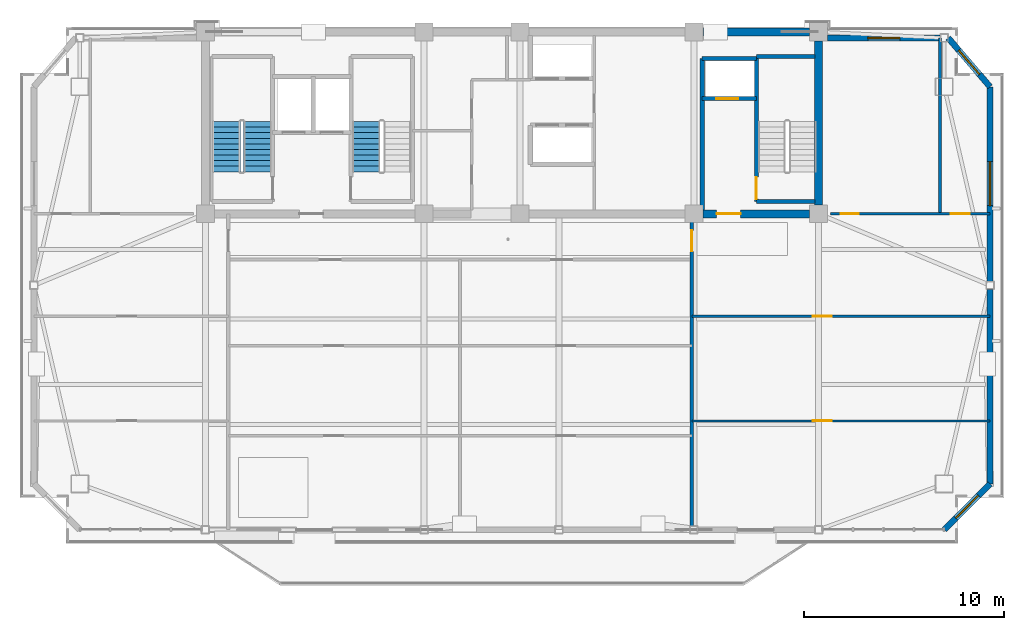
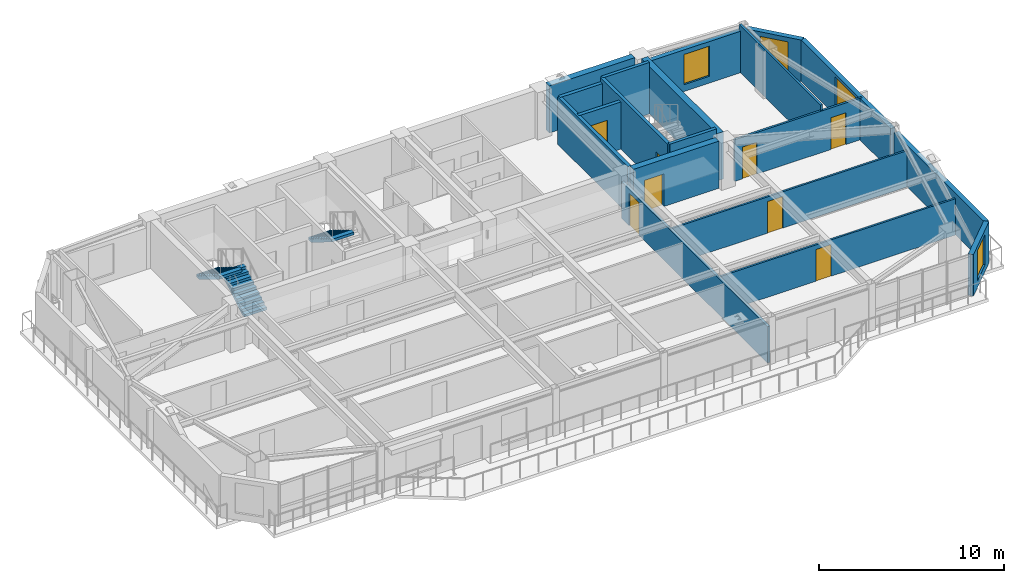
# One storey, part 8 of 13: 19 walls, 8 doors, 4 windows, 3 stair flights, 12 openings, 2 elements without a shape of their own.
"""IFC4 building model written with IfcOpenShell, lengths in metres."""

from ifc_helpers import new_model, si_unit, direction, frame, frame_2d, origin, place, context, subcontext, project, spatial, polyline, rectangle, outline, extrude, source, transform, mapped, material, layer, layer_set, type_object, element, fill, aggregate, save


model = new_model("IFC4")

# Units and contexts
model_context = context("Model", 3, precision=1e-05, world=origin(), true_north=direction((0.0, 1.0)))
body_context = subcontext(model_context, "Body", "Model", "MODEL_VIEW")
ifc_project = project(units=[si_unit("LENGTHUNIT", "METRE"), si_unit("AREAUNIT", "SQUARE_METRE"), si_unit("VOLUMEUNIT", "CUBIC_METRE"), si_unit("PLANEANGLEUNIT", "RADIAN"), si_unit("MASSUNIT", "GRAM", prefix="KILO")], contexts=[model_context])

# Site, building, storey
site_placement = place(None, origin())
site = spatial("IfcSite", under=ifc_project, at=site_placement, CompositionType="ELEMENT")
building_placement = place(site_placement, origin())
building = spatial("IfcBuilding", under=site, at=building_placement, Name="Giltprow Tower", CompositionType="ELEMENT")
storey_placement = place(building_placement, frame((0.0, 0.0, 324.39990234375)))
storey = spatial("IfcBuildingStorey", under=building, at=storey_placement, Name="L84", CompositionType="ELEMENT", Elevation=324.39990234375)

# Wall, opening, window
ifc_material_1 = material(Name="Precast concrete C40", Category="concrete")
ifc_layer_1 = layer(ifc_material_1, 0.300048828125, Name="Precast concrete C40")
ifc_layer_set_1 = layer_set([ifc_layer_1], Name="Precast concrete C40")
wall_type_1 = type_object("IfcWallType", Name="EW-NOTCH-CHAMFER-300", PredefinedType="SOLIDWALL", material=ifc_layer_set_1)
wall_1_placement = place(storey_placement, frame((56.839111328125, 21.635986328125, 0.0), z_axis=(0.0, 0.0, 1.0), x_axis=(0.707106781187, 0.707106781187, 0.0)))
wall_1 = element("IfcWall", 1, at=wall_1_placement, inside=storey, type_object=wall_type_1, Name="L84 Corner Notch Wall SE", PredefinedType="SOLIDWALL", context=body_context, shape_type="SweptSolid", body=[
    extrude(rectangle(XDim=3.241455078125, YDim=0.300048828125, at=frame_2d((1.62060546875, 0.0))), origin(), (0.0, 0.0, 1.0), 2.75),
])
opening_1_placement = place(wall_1_placement, frame((0.821044921875, 0.0, 0.449951171875)))
opening_1 = element("IfcOpeningElement", 2, at=opening_1_placement, cuts=wall_1, Name="Opening WN17", PredefinedType="OPENING", context=body_context, shape_type="SweptSolid", body=[
    extrude(rectangle(XDim=1.60009765625, YDim=2.0, at=frame_2d((0.800048828125, 1.0))), frame((0.0, 0.159912109375, 0.0), z_axis=(0.0, -1.0, 0.0), x_axis=(1.0, 0.0, 0.0)), (0.0, 0.0, 1.0), 0.320068359375),
])
ifc_material_2 = material(Name="Insulated glass", Category="glass")
window_type_1 = type_object("IfcWindowType", Name="WN-COR-1600x2000", PartitioningType="SINGLE_PANEL", PredefinedType="WINDOW", material=ifc_material_2)
shared_shape_1 = source(origin(), body_context, "Body", "SweptSolid", [
    extrude(rectangle(XDim=1.60009765625, YDim=2.0, at=frame_2d((0.800048828125, 1.0))), frame((0.0, 0.030029296875, 0.0), z_axis=(0.0, -1.0, 0.0), x_axis=(1.0, 0.0, 0.0)), (0.0, 0.0, 1.0), 0.06005859375),
])
window_1_placement = place(opening_1_placement, origin())
window_1 = element("IfcWindow", 3, at=window_1_placement, inside=storey, type_object=window_type_1, Name="L84 Corner Notch Window SE", OverallHeight=2.0, OverallWidth=1.60009765625, PartitioningType="SINGLE_PANEL", PredefinedType="WINDOW", context=body_context, shape_type="MappedRepresentation", body=[
    mapped(shared_shape_1, transform((0.0, 0.0, 0.0), x_axis=(1.0, 0.0, 0.0), y_axis=(0.0, 1.0, 0.0), z_axis=(0.0, 0.0, 1.0), scale=1.0)),
])
fill(opening_1, window_1)

wall_2_placement = place(storey_placement, frame((59.131103515625, 43.80810546875, 0.0), z_axis=(0.0, 0.0, 1.0), x_axis=(-0.650610025707, 0.759412005732, 0.0)))
wall_2 = element("IfcWall", 4, at=wall_2_placement, inside=storey, type_object=wall_type_1, Name="L84 Corner Notch Wall NE", PredefinedType="SOLIDWALL", context=body_context, shape_type="SweptSolid", body=[
    extrude(rectangle(XDim=3.215576171875, YDim=0.300048828125, at=frame_2d((1.60791015625, 0.0))), origin(), (0.0, 0.0, 1.0), 2.75),
])
opening_2_placement = place(wall_2_placement, frame((0.80810546875, 0.0, 0.449951171875)))
opening_2 = element("IfcOpeningElement", 5, at=opening_2_placement, cuts=wall_2, Name="Opening WN17", PredefinedType="OPENING", context=body_context, shape_type="SweptSolid", body=[
    extrude(rectangle(XDim=1.60009765625, YDim=2.0, at=frame_2d((0.800048828125, 1.0))), frame((0.0, 0.159912109375, 0.0), z_axis=(0.0, -1.0, 0.0), x_axis=(1.0, 0.0, 0.0)), (0.0, 0.0, 1.0), 0.320068359375),
])
window_2_placement = place(opening_2_placement, origin())
window_2 = element("IfcWindow", 6, at=window_2_placement, inside=storey, type_object=window_type_1, Name="L84 Corner Notch Window NE", OverallHeight=2.0, OverallWidth=1.60009765625, PartitioningType="SINGLE_PANEL", PredefinedType="WINDOW", context=body_context, shape_type="MappedRepresentation", body=[
    mapped(shared_shape_1, transform((0.0, 0.0, 0.0), x_axis=(1.0, 0.0, 0.0), y_axis=(0.0, 1.0, 0.0), z_axis=(0.0, 0.0, 1.0), scale=1.0)),
])
fill(opening_2, window_2)

# Wall
ifc_layer_2 = layer(ifc_material_1, 0.280029296875, Name="Precast concrete C40")
ifc_layer_set_2 = layer_set([ifc_layer_2], Name="Precast concrete C40")
wall_type_2 = type_object("IfcWallType", Name="EW-TOW-BRONZE-280", PredefinedType="SOLIDWALL", material=ifc_layer_set_2)
wall_3_placement = place(storey_placement, frame((59.131103515625, 23.927978515625, 0.0), z_axis=(0.0, 0.0, 1.0), x_axis=(0.0, 1.0, 0.0)))
element("IfcWall", 7, at=wall_3_placement, inside=storey, type_object=wall_type_2, Name="L84 E Wing Masonry Wall 1", PredefinedType="SOLIDWALL", context=body_context, shape_type="SweptSolid", body=[
    extrude(rectangle(XDim=9.739990234375, YDim=0.280029296875, at=frame_2d((4.8701171875, 0.0))), origin(), (0.0, 0.0, 1.0), 2.75),
])

# Wall, opening, window
wall_4_placement = place(storey_placement, frame((59.131103515625, 34.068115234375, 0.0), z_axis=(0.0, 0.0, 1.0), x_axis=(0.0, 1.0, 0.0)))
wall_4 = element("IfcWall", 8, at=wall_4_placement, inside=storey, type_object=wall_type_2, Name="L84 E Wing Masonry Wall 2", PredefinedType="SOLIDWALL", context=body_context, shape_type="SweptSolid", body=[
    extrude(rectangle(XDim=9.739990234375, YDim=0.280029296875, at=frame_2d((4.8701171875, 0.0))), origin(), (0.0, 0.0, 1.0), 2.75),
])
opening_3_placement = place(wall_4_placement, frame((3.787109375, 0.0, 0.449951171875)))
opening_3 = element("IfcOpeningElement", 9, at=opening_3_placement, cuts=wall_4, Name="Opening WN27", PredefinedType="OPENING", context=body_context, shape_type="SweptSolid", body=[
    extrude(rectangle(XDim=2.199951171875, YDim=2.10009765625, at=frame_2d((1.10009765625, 1.050048828125))), frame((0.0, 0.14990234375, 0.0), z_axis=(0.0, -1.0, 0.0), x_axis=(1.0, 0.0, 0.0)), (0.0, 0.0, 1.0), 0.300048828125),
])
window_type_2 = type_object("IfcWindowType", Name="WN-RES-2200x2100", PartitioningType="TRIPLE_PANEL_VERTICAL", PredefinedType="WINDOW", material=ifc_material_2)
shared_shape_2 = source(origin(), body_context, "Body", "SweptSolid", [
    extrude(rectangle(XDim=2.199951171875, YDim=2.10009765625, at=frame_2d((1.10009765625, 1.050048828125))), frame((0.0, 0.030029296875, 0.0), z_axis=(0.0, -1.0, 0.0), x_axis=(1.0, 0.0, 0.0)), (0.0, 0.0, 1.0), 0.06005859375),
])
window_3_placement = place(opening_3_placement, origin())
window_3 = element("IfcWindow", 10, at=window_3_placement, inside=storey, type_object=window_type_2, Name="L84 E Wing Window 2-1", OverallHeight=2.10009765625, OverallWidth=2.199951171875, PartitioningType="SINGLE_PANEL", PredefinedType="WINDOW", context=body_context, shape_type="MappedRepresentation", body=[
    mapped(shared_shape_2, transform((0.0, 0.0, 0.0), x_axis=(1.0, 0.0, 0.0), y_axis=(0.0, 1.0, 0.0), z_axis=(0.0, 0.0, 1.0), scale=1.0)),
])
fill(opening_3, window_3)

wall_5_placement = place(storey_placement, frame((51.0, 46.25, 0.0), z_axis=(0.0, 0.0, 1.0), x_axis=(1.0, 0.0, 0.0)))
wall_5 = element("IfcWall", 11, at=wall_5_placement, inside=storey, type_object=wall_type_2, Name="L84 North-East Wing Wall", PredefinedType="SOLIDWALL", context=body_context, shape_type="SweptSolid", body=[
    extrude(rectangle(XDim=5.638916015625, YDim=0.280029296875, at=frame_2d((2.8193359375, 0.0))), origin(), (0.0, 0.0, 1.0), 2.75),
])
opening_4_placement = place(wall_5_placement, frame((2.02001953125, 0.0, 0.449951171875)))
opening_4 = element("IfcOpeningElement", 12, at=opening_4_placement, cuts=wall_5, Name="Opening WN17", PredefinedType="OPENING", context=body_context, shape_type="SweptSolid", body=[
    extrude(rectangle(XDim=1.60009765625, YDim=2.0, at=frame_2d((0.800048828125, 1.0))), frame((0.0, 0.14990234375, 0.0), z_axis=(0.0, -1.0, 0.0), x_axis=(1.0, 0.0, 0.0)), (0.0, 0.0, 1.0), 0.300048828125),
])
window_4_placement = place(opening_4_placement, origin())
window_4 = element("IfcWindow", 13, at=window_4_placement, inside=storey, type_object=window_type_1, Name="L84 North-East Window", OverallHeight=2.0, OverallWidth=1.60009765625, PartitioningType="SINGLE_PANEL", PredefinedType="WINDOW", context=body_context, shape_type="MappedRepresentation", body=[
    mapped(shared_shape_1, transform((0.0, 0.0, 0.0), x_axis=(1.0, 0.0, 0.0), y_axis=(0.0, 1.0, 0.0), z_axis=(0.0, 0.0, 1.0), scale=1.0)),
])
fill(opening_4, window_4)

# Wall, opening, door
ifc_material_3 = material(Name="Gypsum stud partition", Category="gypsum")
ifc_layer_3 = layer(ifc_material_3, 0.159912109375, Name="Gypsum stud partition")
ifc_layer_set_3 = layer_set([ifc_layer_3], Name="Gypsum stud partition")
wall_type_3 = type_object("IfcWallType", Name="IW-DEMISE-160", PredefinedType="PARTITIONING", material=ifc_layer_set_3)
wall_6_placement = place(storey_placement, frame((44.199951171875, 21.635986328125, 0.0), z_axis=(0.0, 0.0, 1.0), x_axis=(0.0, 1.0, 0.0)))
wall_6 = element("IfcWall", 14, at=wall_6_placement, inside=storey, type_object=wall_type_3, Name="L84 Apartment Party Wall 3", PredefinedType="PARTITIONING", context=body_context, shape_type="SweptSolid", body=[
    extrude(rectangle(XDim=15.81396484375, YDim=0.159912109375, at=frame_2d((7.906982421875, 0.0))), origin(), (0.0, 0.0, 1.0), 2.405029296875),
])
opening_5_placement = place(wall_6_placement, frame((13.93408203125, 0.0, 0.0)))
opening_5 = element("IfcOpeningElement", 15, at=opening_5_placement, cuts=wall_6, Name="Opening ID31", PredefinedType="OPENING", context=body_context, shape_type="SweptSolid", body=[
    extrude(rectangle(XDim=1.050048828125, YDim=2.14990234375, at=frame_2d((0.52490234375, 1.074951171875))), frame((0.0, 0.08984375, 0.0), z_axis=(0.0, -1.0, 0.0), x_axis=(1.0, 0.0, 0.0)), (0.0, 0.0, 1.0), 0.179931640625),
])
ifc_material_4 = material(Name="Engineered timber", Category="wood")
door_type_1 = type_object("IfcDoorType", Name="DR-SUITE-1050", OperationType="SINGLE_SWING_LEFT", PredefinedType="DOOR", material=ifc_material_4)
shared_shape_3 = source(origin(), body_context, "Body", "SweptSolid", [
    extrude(rectangle(XDim=1.050048828125, YDim=2.14990234375, at=frame_2d((0.52490234375, 1.074951171875))), frame((0.0, 0.02490234375, 0.0), z_axis=(0.0, -1.0, 0.0), x_axis=(1.0, 0.0, 0.0)), (0.0, 0.0, 1.0), 0.050048828125),
])
door_1_placement = place(opening_5_placement, origin())
door_1 = element("IfcDoor", 16, at=door_1_placement, inside=storey, type_object=door_type_1, Name="L84 Sky Study Office Corridor End Door", OperationType="SINGLE_SWING_LEFT", OverallHeight=2.14990234375, OverallWidth=1.050048828125, PredefinedType="DOOR", context=body_context, shape_type="MappedRepresentation", body=[
    mapped(shared_shape_3, transform((0.0, 0.0, 0.0), x_axis=(1.0, 0.0, 0.0), y_axis=(0.0, 1.0, 0.0), z_axis=(0.0, 0.0, 1.0), scale=1.0)),
])
fill(opening_5, door_1)

ifc_layer_4 = layer(ifc_material_3, 0.1201171875, Name="Gypsum stud partition")
ifc_layer_set_4 = layer_set([ifc_layer_4], Name="Gypsum stud partition")
wall_type_4 = type_object("IfcWallType", Name="IW-ROOM-120", PredefinedType="PARTITIONING", material=ifc_layer_set_4)
wall_7_placement = place(storey_placement, frame((44.199951171875, 27.076904296875, 0.0), z_axis=(0.0, 0.0, 1.0), x_axis=(1.0, 0.0, 0.0)))
wall_7 = element("IfcWall", 17, at=wall_7_placement, inside=storey, type_object=wall_type_4, Name="L84 Special Split 1", PredefinedType="PARTITIONING", context=body_context, shape_type="SweptSolid", body=[
    extrude(rectangle(XDim=14.93115234375, YDim=0.1201171875, at=frame_2d((7.465576171875, 0.0))), origin(), (0.0, 0.0, 1.0), 2.405029296875),
])
opening_6_placement = place(wall_7_placement, frame((6.05810546875, 0.0, 0.0)))
opening_6 = element("IfcOpeningElement", 18, at=opening_6_placement, cuts=wall_7, Name="Opening ID11", PredefinedType="OPENING", context=body_context, shape_type="SweptSolid", body=[
    extrude(rectangle(XDim=0.949951171875, YDim=2.10009765625, at=frame_2d((0.47509765625, 1.050048828125))), frame((0.0, 0.070068359375, 0.0), z_axis=(0.0, -1.0, 0.0), x_axis=(1.0, 0.0, 0.0)), (0.0, 0.0, 1.0), 0.14013671875),
])
door_type_2 = type_object("IfcDoorType", Name="DR-ROOM-950", OperationType="SINGLE_SWING_RIGHT", PredefinedType="DOOR", material=ifc_material_4)
shared_shape_4 = source(origin(), body_context, "Body", "SweptSolid", [
    extrude(rectangle(XDim=0.949951171875, YDim=2.10009765625, at=frame_2d((0.47509765625, 1.050048828125))), frame((0.0, 0.02490234375, 0.0), z_axis=(0.0, -1.0, 0.0), x_axis=(1.0, 0.0, 0.0)), (0.0, 0.0, 1.0), 0.050048828125),
])
door_2_placement = place(opening_6_placement, origin())
door_2 = element("IfcDoor", 19, at=door_2_placement, inside=storey, type_object=door_type_2, Name="L84 Sky Study Office South Door", OperationType="SINGLE_SWING_LEFT", OverallHeight=2.10009765625, OverallWidth=0.949951171875, PredefinedType="DOOR", context=body_context, shape_type="MappedRepresentation", body=[
    mapped(shared_shape_4, transform((0.0, 0.0, 0.0), x_axis=(1.0, 0.0, 0.0), y_axis=(0.0, 1.0, 0.0), z_axis=(0.0, 0.0, 1.0), scale=1.0)),
])
fill(opening_6, door_2)

wall_8_placement = place(storey_placement, frame((44.199951171875, 32.318115234375, 0.0), z_axis=(0.0, 0.0, 1.0), x_axis=(1.0, 0.0, 0.0)))
wall_8 = element("IfcWall", 20, at=wall_8_placement, inside=storey, type_object=wall_type_4, Name="L84 Special Split 2", PredefinedType="PARTITIONING", context=body_context, shape_type="SweptSolid", body=[
    extrude(rectangle(XDim=14.93115234375, YDim=0.1201171875, at=frame_2d((7.465576171875, 0.0))), origin(), (0.0, 0.0, 1.0), 2.405029296875),
])
opening_7_placement = place(wall_8_placement, frame((6.05810546875, 0.0, 0.0)))
opening_7 = element("IfcOpeningElement", 21, at=opening_7_placement, cuts=wall_8, Name="Opening ID11", PredefinedType="OPENING", context=body_context, shape_type="SweptSolid", body=[
    extrude(rectangle(XDim=0.949951171875, YDim=2.10009765625, at=frame_2d((0.47509765625, 1.050048828125))), frame((0.0, 0.070068359375, 0.0), z_axis=(0.0, -1.0, 0.0), x_axis=(1.0, 0.0, 0.0)), (0.0, 0.0, 1.0), 0.14013671875),
])
door_3_placement = place(opening_7_placement, origin())
door_3 = element("IfcDoor", 22, at=door_3_placement, inside=storey, type_object=door_type_2, Name="L84 Sky Study Office Mid Door", OperationType="SINGLE_SWING_RIGHT", OverallHeight=2.10009765625, OverallWidth=0.949951171875, PredefinedType="DOOR", context=body_context, shape_type="MappedRepresentation", body=[
    mapped(shared_shape_4, transform((0.0, 0.0, 0.0), x_axis=(1.0, 0.0, 0.0), y_axis=(0.0, 1.0, 0.0), z_axis=(0.0, 0.0, 1.0), scale=1.0)),
])
fill(opening_7, door_3)

ifc_material_5 = material(Name="Concrete C40", Category="concrete")
ifc_layer_5 = layer(ifc_material_5, 0.219970703125, Name="Concrete C40")
ifc_layer_set_5 = layer_set([ifc_layer_5], Name="Concrete C40")
wall_type_5 = type_object("IfcWallType", Name="IW-SHAFT-220", PredefinedType="SOLIDWALL", material=ifc_layer_set_5)
wall_9_placement = place(storey_placement, frame((44.719970703125, 43.219970703125, 0.0), z_axis=(0.0, 0.0, 1.0), x_axis=(1.0, 0.0, 0.0)))
wall_9 = element("IfcWall", 23, at=wall_9_placement, inside=storey, type_object=wall_type_5, Name="L84 FFL2 Front Shaft Wall", PredefinedType="SOLIDWALL", context=body_context, shape_type="SweptSolid", body=[
    extrude(rectangle(XDim=2.719970703125, YDim=0.219970703125, at=frame_2d((1.35986328125, 0.0))), origin(), (0.0, 0.0, 1.0), 3.1201171875),
])
opening_8_placement = place(wall_9_placement, frame((0.699951171875, 0.0, 0.0)))
opening_8 = element("IfcOpeningElement", 24, at=opening_8_placement, cuts=wall_9, Name="Opening LD-11", PredefinedType="OPENING", context=body_context, shape_type="SweptSolid", body=[
    extrude(rectangle(XDim=1.10009765625, YDim=2.199951171875, at=frame_2d((0.550048828125, 1.10009765625))), frame((0.0, 0.119873046875, 0.0), z_axis=(0.0, -1.0, 0.0), x_axis=(1.0, 0.0, 0.0)), (0.0, 0.0, 1.0), 0.239990234375),
])
ifc_material_6 = material(Name="Stainless steel", Category="steel")
door_type_3 = type_object("IfcDoorType", Name="DR-LIFT-LD1100", OperationType="SLIDING_TO_LEFT", PredefinedType="DOOR", material=ifc_material_6)
shared_shape_5 = source(origin(), body_context, "Body", "SweptSolid", [
    extrude(rectangle(XDim=1.10009765625, YDim=2.199951171875, at=frame_2d((0.550048828125, 1.10009765625))), frame((0.0, 0.02490234375, 0.0), z_axis=(0.0, -1.0, 0.0), x_axis=(1.0, 0.0, 0.0)), (0.0, 0.0, 1.0), 0.050048828125),
])
door_4_placement = place(opening_8_placement, origin())
door_4 = element("IfcDoor", 25, at=door_4_placement, inside=storey, type_object=door_type_3, Name="L84 FFL2 Landing Door", OperationType="SLIDING_TO_LEFT", OverallHeight=2.199951171875, OverallWidth=1.10009765625, PredefinedType="DOOR", context=body_context, shape_type="MappedRepresentation", body=[
    mapped(shared_shape_5, transform((0.0, 0.0, 0.0), x_axis=(1.0, 0.0, 0.0), y_axis=(0.0, 1.0, 0.0), z_axis=(0.0, 0.0, 1.0), scale=1.0)),
])
fill(opening_8, door_4)

# Walls
wall_10_placement = place(storey_placement, frame((44.719970703125, 45.219970703125, 0.0), z_axis=(0.0, 0.0, 1.0), x_axis=(1.0, 0.0, 0.0)))
element("IfcWall", 26, at=wall_10_placement, inside=storey, type_object=wall_type_5, Name="L84 FFL2 Back Shaft Wall", PredefinedType="SOLIDWALL", context=body_context, shape_type="SweptSolid", body=[
    extrude(rectangle(XDim=2.719970703125, YDim=0.219970703125, at=frame_2d((1.35986328125, 0.0))), origin(), (0.0, 0.0, 1.0), 3.1201171875),
])
wall_11_placement = place(storey_placement, frame((44.719970703125, 37.6298828125, 0.0), z_axis=(0.0, 0.0, 1.0), x_axis=(0.0, 1.0, 0.0)))
element("IfcWall", 27, at=wall_11_placement, inside=storey, type_object=wall_type_5, Name="L84 East Firefighting Lobby West Wall", PredefinedType="SOLIDWALL", context=body_context, shape_type="SweptSolid", body=[
    extrude(rectangle(XDim=7.590087890625, YDim=0.219970703125, at=frame_2d((3.794921875, 0.0))), origin(), (0.0, 0.0, 1.0), 3.1201171875),
])

# Wall, opening, door
ifc_layer_6 = layer(ifc_material_5, 0.199951171875, Name="Concrete C40")
ifc_layer_set_6 = layer_set([ifc_layer_6], Name="Concrete C40")
wall_type_6 = type_object("IfcWallType", Name="IW-STAIR-200", PredefinedType="SOLIDWALL", material=ifc_layer_set_6)
wall_12_placement = place(storey_placement, frame((47.43994140625, 38.070068359375, 0.0), z_axis=(0.0, 0.0, 1.0), x_axis=(0.0, 1.0, 0.0)))
wall_12 = element("IfcWall", 28, at=wall_12_placement, inside=storey, type_object=wall_type_6, Name="L84 Stair ST-3 West Bearing Wall", PredefinedType="SOLIDWALL", context=body_context, shape_type="SweptSolid", body=[
    extrude(rectangle(XDim=7.25, YDim=0.199951171875, at=frame_2d((3.625, 0.0))), origin(), (0.0, 0.0, 1.0), 3.400146484375),
])
opening_9_placement = place(wall_12_placement, frame((0.110107421875, 0.0, 0.0)))
opening_9 = element("IfcOpeningElement", 29, at=opening_9_placement, cuts=wall_12, Name="Opening ID33", PredefinedType="OPENING", context=body_context, shape_type="SweptSolid", body=[
    extrude(rectangle(XDim=1.10009765625, YDim=2.14990234375, at=frame_2d((0.550048828125, 1.074951171875))), frame((0.0, 0.10986328125, 0.0), z_axis=(0.0, -1.0, 0.0), x_axis=(1.0, 0.0, 0.0)), (0.0, 0.0, 1.0), 0.219970703125),
])
ifc_material_7 = material(Name="Steel fire leaf", Category="steel")
door_type_4 = type_object("IfcDoorType", Name="DR-STAIR-1100", OperationType="SINGLE_SWING_LEFT", PredefinedType="DOOR", material=ifc_material_7)
shared_shape_6 = source(origin(), body_context, "Body", "SweptSolid", [
    extrude(rectangle(XDim=1.10009765625, YDim=2.14990234375, at=frame_2d((0.550048828125, 1.074951171875))), frame((0.0, 0.02490234375, 0.0), z_axis=(0.0, -1.0, 0.0), x_axis=(1.0, 0.0, 0.0)), (0.0, 0.0, 1.0), 0.050048828125),
])
door_5_placement = place(opening_9_placement, origin())
door_5 = element("IfcDoor", 30, at=door_5_placement, inside=storey, type_object=door_type_4, Name="L84 Stair ST-3 Fire Door", OperationType="SINGLE_SWING_RIGHT", OverallHeight=2.14990234375, OverallWidth=1.10009765625, PredefinedType="DOOR", context=body_context, shape_type="MappedRepresentation", body=[
    mapped(shared_shape_6, transform((0.0, 0.0, 0.0), x_axis=(1.0, 0.0, 0.0), y_axis=(0.0, 1.0, 0.0), z_axis=(0.0, 0.0, 1.0), scale=1.0)),
])
fill(opening_9, door_5)

# Walls
for number, where, z_axis, x_axis, name in (
    (31, (47.43994140625, 45.320068359375, 0.0), (0.0, 0.0, 1.0), (1.0, 0.0, 0.0), "L84 Stair ST-3 North Bearing Wall"),
    (32, (47.43994140625, 38.070068359375, 0.0), (0.0, 0.0, 1.0), (1.0, 0.0, 0.0), "L84 Stair ST-3 South Bearing Wall"),
):
    element("IfcWall", number, at=place(storey_placement, frame(where, z_axis=z_axis, x_axis=x_axis)), inside=storey, type_object=wall_type_6, Name=name, PredefinedType="SOLIDWALL", context=body_context, shape_type="SweptSolid", body=[
        extrude(rectangle(XDim=2.93017578125, YDim=0.199951171875, at=frame_2d((1.465087890625, 0.0))), origin(), (0.0, 0.0, 1.0), 3.400146484375),
    ])

# Wall, openings, doors
ifc_material_8 = material(Name="Concrete C30", Category="concrete")
ifc_layer_7 = layer(ifc_material_8, 0.1298828125, Name="Concrete C30")
ifc_layer_set_7 = layer_set([ifc_layer_7], Name="Concrete C30")
wall_type_7 = type_object("IfcWallType", Name="IW-WET-130", PredefinedType="PARTITIONING", material=ifc_layer_set_7)
wall_13_placement = place(storey_placement, frame((51.14990234375, 37.449951171875, 0.0), z_axis=(0.0, 0.0, 1.0), x_axis=(1.0, 0.0, 0.0)))
wall_13 = element("IfcWall", 33, at=wall_13_placement, inside=storey, type_object=wall_type_7, Name="L84 NE Wing South Wall", PredefinedType="PARTITIONING", context=body_context, shape_type="SweptSolid", body=[
    extrude(rectangle(XDim=7.981201171875, YDim=0.1298828125, at=frame_2d((3.99072265625, 0.0))), origin(), (0.0, 0.0, 1.0), 2.755126953125),
])
opening_10_placement = place(wall_13_placement, frame((0.5, 0.0, 0.0)))
opening_10 = element("IfcOpeningElement", 34, at=opening_10_placement, cuts=wall_13, Name="Opening ID15", PredefinedType="OPENING", context=body_context, shape_type="SweptSolid", body=[
    extrude(rectangle(XDim=0.89990234375, YDim=2.10009765625, at=frame_2d((0.449951171875, 1.050048828125))), frame((0.0, 0.074951171875, 0.0), z_axis=(0.0, -1.0, 0.0), x_axis=(1.0, 0.0, 0.0)), (0.0, 0.0, 1.0), 0.14990234375),
])
opening_11_placement = place(wall_13_placement, frame((6.027099609375, 0.0, 0.0)))
opening_11 = element("IfcOpeningElement", 35, at=opening_11_placement, cuts=wall_13, Name="Opening ID11", PredefinedType="OPENING", context=body_context, shape_type="SweptSolid", body=[
    extrude(rectangle(XDim=0.949951171875, YDim=2.10009765625, at=frame_2d((0.47509765625, 1.050048828125))), frame((0.0, 0.074951171875, 0.0), z_axis=(0.0, -1.0, 0.0), x_axis=(1.0, 0.0, 0.0)), (0.0, 0.0, 1.0), 0.14990234375),
])
door_type_5 = type_object("IfcDoorType", Name="DR-WC-900", OperationType="SINGLE_SWING_LEFT", PredefinedType="DOOR", material=ifc_material_4)
shared_shape_7 = source(origin(), body_context, "Body", "SweptSolid", [
    extrude(rectangle(XDim=0.89990234375, YDim=2.10009765625, at=frame_2d((0.449951171875, 1.050048828125))), frame((0.0, 0.02490234375, 0.0), z_axis=(0.0, -1.0, 0.0), x_axis=(1.0, 0.0, 0.0)), (0.0, 0.0, 1.0), 0.050048828125),
])
door_6_placement = place(opening_10_placement, origin())
door_6 = element("IfcDoor", 36, at=door_6_placement, inside=storey, type_object=door_type_5, Name="L84 East Wing Washroom Door", OperationType="SINGLE_SWING_RIGHT", OverallHeight=2.10009765625, OverallWidth=0.89990234375, PredefinedType="DOOR", context=body_context, shape_type="MappedRepresentation", body=[
    mapped(shared_shape_7, transform((0.0, 0.0, 0.0), x_axis=(1.0, 0.0, 0.0), y_axis=(0.0, 1.0, 0.0), z_axis=(0.0, 0.0, 1.0), scale=1.0)),
])
fill(opening_10, door_6)
door_7_placement = place(opening_11_placement, origin())
door_7 = element("IfcDoor", 37, at=door_7_placement, inside=storey, type_object=door_type_2, Name="L84 Residents Reading Lounge Door", OperationType="SINGLE_SWING_LEFT", OverallHeight=2.10009765625, OverallWidth=0.949951171875, PredefinedType="DOOR", context=body_context, shape_type="MappedRepresentation", body=[
    mapped(shared_shape_4, transform((0.0, 0.0, 0.0), x_axis=(1.0, 0.0, 0.0), y_axis=(0.0, 1.0, 0.0), z_axis=(0.0, 0.0, 1.0), scale=1.0)),
])
fill(opening_11, door_7)

# Walls
wall_14_placement = place(storey_placement, frame((56.626953125, 37.449951171875, 0.0), z_axis=(0.0, 0.0, 1.0), x_axis=(0.0, 1.0, 0.0)))
element("IfcWall", 38, at=wall_14_placement, inside=storey, type_object=wall_type_7, Name="L84 NE Wing Divider", PredefinedType="PARTITIONING", context=body_context, shape_type="SweptSolid", body=[
    extrude(rectangle(XDim=8.800048828125, YDim=0.1298828125, at=frame_2d((4.39990234375, 0.0))), origin(), (0.0, 0.0, 1.0), 3.1201171875),
])
ifc_material_9 = material(Name="Concrete C45", Category="concrete")
ifc_layer_8 = layer(ifc_material_9, 0.39990234375, Name="Concrete C45")
ifc_layer_set_8 = layer_set([ifc_layer_8], Name="Concrete C45")
wall_type_8 = type_object("IfcWallType", Name="SW-EXT-400-C45", PredefinedType="SHEAR", material=ifc_layer_set_8)
wall_15_placement = place(storey_placement, frame((44.75, 46.550048828125, 0.0), z_axis=(0.0, 0.0, 1.0), x_axis=(1.0, 0.0, 0.0)))
element("IfcWall", 39, at=wall_15_placement, inside=storey, type_object=wall_type_8, Name="L84 North Rear Core Shear Wall 4", PredefinedType="SHEAR", context=body_context, shape_type="SweptSolid", body=[
    extrude(rectangle(XDim=5.35009765625, YDim=0.39990234375, at=frame_2d((2.675048828125, 0.0))), origin(), (0.0, 0.0, 1.0), 3.1201171875),
])

# Wall, opening, door
ifc_layer_9 = layer(ifc_material_9, 0.39990234375, Name="Concrete C45")
ifc_layer_set_9 = layer_set([ifc_layer_9], Name="Concrete C45")
wall_type_9 = type_object("IfcWallType", Name="SW-INT-400-C45", PredefinedType="SHEAR", material=ifc_layer_set_9)
wall_16_placement = place(storey_placement, frame((44.75, 37.449951171875, 0.0), z_axis=(0.0, 0.0, 1.0), x_axis=(1.0, 0.0, 0.0)))
wall_16 = element("IfcWall", 40, at=wall_16_placement, inside=storey, type_object=wall_type_9, Name="L84 South Rear Core Shear Wall East", PredefinedType="SHEAR", context=body_context, shape_type="SweptSolid", body=[
    extrude(rectangle(XDim=5.35009765625, YDim=0.39990234375, at=frame_2d((2.675048828125, 0.0))), origin(), (0.0, 0.0, 1.0), 3.1201171875),
])
opening_12_placement = place(wall_16_placement, frame((0.699951171875, 0.0, 0.0)))
opening_12 = element("IfcOpeningElement", 41, at=opening_12_placement, cuts=wall_16, Name="Opening ID19", PredefinedType="OPENING", context=body_context, shape_type="SweptSolid", body=[
    extrude(rectangle(XDim=1.199951171875, YDim=2.14990234375, at=frame_2d((0.60009765625, 1.074951171875))), frame((0.0, 0.2099609375, 0.0), z_axis=(0.0, -1.0, 0.0), x_axis=(1.0, 0.0, 0.0)), (0.0, 0.0, 1.0), 0.419921875),
])
door_type_6 = type_object("IfcDoorType", Name="DR-FFLOBBY-1200", OperationType="SINGLE_SWING_RIGHT", PredefinedType="DOOR", material=ifc_material_7)
shared_shape_8 = source(origin(), body_context, "Body", "SweptSolid", [
    extrude(rectangle(XDim=1.199951171875, YDim=2.14990234375, at=frame_2d((0.60009765625, 1.074951171875))), frame((0.0, 0.02490234375, 0.0), z_axis=(0.0, -1.0, 0.0), x_axis=(1.0, 0.0, 0.0)), (0.0, 0.0, 1.0), 0.050048828125),
])
door_8_placement = place(opening_12_placement, origin())
door_8 = element("IfcDoor", 42, at=door_8_placement, inside=storey, type_object=door_type_6, Name="L84 East Firefighting Lobby Entry Door", OperationType="SINGLE_SWING_RIGHT", OverallHeight=2.14990234375, OverallWidth=1.199951171875, PredefinedType="DOOR", context=body_context, shape_type="MappedRepresentation", body=[
    mapped(shared_shape_8, transform((0.0, 0.0, 0.0), x_axis=(1.0, 0.0, 0.0), y_axis=(0.0, 1.0, 0.0), z_axis=(0.0, 0.0, 1.0), scale=1.0)),
])
fill(opening_12, door_8)

# Wall
wall_17_placement = place(storey_placement, frame((50.550048828125, 37.89990234375, 0.0), z_axis=(0.0, 0.0, 1.0), x_axis=(0.0, 1.0, 0.0)))
element("IfcWall", 43, at=wall_17_placement, inside=storey, type_object=wall_type_9, Name="L84 E Rear Core Shear Wall", PredefinedType="SHEAR", context=body_context, shape_type="SweptSolid", body=[
    extrude(rectangle(XDim=8.2001953125, YDim=0.39990234375, at=frame_2d((4.10009765625, 0.0))), origin(), (0.0, 0.0, 1.0), 3.1201171875),
])

# Stair, stair flights
stair_type_1 = type_object("IfcStairType", Name="STR-ST-1", PredefinedType="HALF_TURN_STAIR", material=ifc_material_5)
stair_1_placement = place(storey_placement, origin())
stair_1 = element("IfcStair", 44, at=stair_1_placement, inside=storey, type_object=stair_type_1, Name="L84 Core Exit Stair ST-1", PredefinedType="HALF_TURN_STAIR")
stair_flight_type_1 = type_object("IfcStairFlightType", Name="SFL-ST-1", PredefinedType="STRAIGHT", material=ifc_material_5)
stair_flight_1_placement = place(storey_placement, frame((22.4599609375, 39.550048828125, 0.0), z_axis=(0.0, 0.0, 1.0), x_axis=(0.0, 1.0, 0.0)))
stair_flight_1 = element("IfcStairFlight", 45, at=stair_flight_1_placement, type_object=stair_flight_type_1, Name="ST-1 flight 1", NumberOfRisers=10, NumberOfTreads=9, PredefinedType="STRAIGHT", RiserHeight=0.17, TreadLength=0.28, context=body_context, shape_type="SweptSolid", body=[
    extrude(outline(polyline([(0.0, 0.0), (0.0, 0.169921875), (0.280029296875, 0.169921875), (0.280029296875, 0.340087890625), (0.56005859375, 0.340087890625), (0.56005859375, 0.510009765625), (0.840087890625, 0.510009765625), (0.840087890625, 0.679931640625), (1.1201171875, 0.679931640625), (1.1201171875, 0.85009765625), (1.39990234375, 0.85009765625), (1.39990234375, 1.02001953125), (1.679931640625, 1.02001953125), (1.679931640625, 1.18994140625), (1.9599609375, 1.18994140625), (1.9599609375, 1.360107421875), (2.239990234375, 1.360107421875), (2.239990234375, 1.530029296875), (2.52001953125, 1.530029296875), (2.52001953125, 1.699951171875), (2.52001953125, 1.354736328125), (0.288818359375, 0.0), (0.0, 0.0)])), frame((0.0, 0.699951171875, 0.0), z_axis=(0.0, -1.0, 0.0), x_axis=(1.0, 0.0, 0.0)), (0.0, 0.0, 1.0), 1.39990234375),
])
stair_flight_2_placement = place(storey_placement, frame((20.89990234375, 42.070068359375, 1.7001953125), z_axis=(0.0, 0.0, 1.0), x_axis=(0.0, -1.0, 0.0)))
stair_flight_2 = element("IfcStairFlight", 46, at=stair_flight_2_placement, type_object=stair_flight_type_1, Name="ST-1 flight 2", NumberOfRisers=10, NumberOfTreads=9, PredefinedType="STRAIGHT", RiserHeight=0.17, TreadLength=0.28, context=body_context, shape_type="SweptSolid", body=[
    extrude(outline(polyline([(0.0, 0.0), (0.0, 0.169921875), (0.280029296875, 0.169921875), (0.280029296875, 0.340087890625), (0.56005859375, 0.340087890625), (0.56005859375, 0.510009765625), (0.840087890625, 0.510009765625), (0.840087890625, 0.679931640625), (1.1201171875, 0.679931640625), (1.1201171875, 0.85009765625), (1.39990234375, 0.85009765625), (1.39990234375, 1.02001953125), (1.679931640625, 1.02001953125), (1.679931640625, 1.18994140625), (1.9599609375, 1.18994140625), (1.9599609375, 1.360107421875), (2.239990234375, 1.360107421875), (2.239990234375, 1.530029296875), (2.52001953125, 1.530029296875), (2.52001953125, 1.699951171875), (2.52001953125, 1.354736328125), (0.288818359375, 0.0), (0.0, 0.0)])), frame((0.0, 0.699951171875, 0.0), z_axis=(0.0, -1.0, 0.0), x_axis=(1.0, 0.0, 0.0)), (0.0, 0.0, 1.0), 1.39990234375),
])
aggregate(stair_1, [stair_flight_1, stair_flight_2])

# Stair, stair flight
stair_type_2 = type_object("IfcStairType", Name="STR-ST-2", PredefinedType="HALF_TURN_STAIR", material=ifc_material_5)
stair_2_placement = place(storey_placement, origin())
stair_2 = element("IfcStair", 47, at=stair_2_placement, inside=storey, type_object=stair_type_2, Name="L84 Core Exit Stair ST-2", PredefinedType="HALF_TURN_STAIR")
stair_flight_type_2 = type_object("IfcStairFlightType", Name="SFL-ST-2", PredefinedType="STRAIGHT", material=ifc_material_5)
stair_flight_3_placement = place(storey_placement, frame((27.89990234375, 42.070068359375, 1.7001953125), z_axis=(0.0, 0.0, 1.0), x_axis=(0.0, -1.0, 0.0)))
stair_flight_3 = element("IfcStairFlight", 48, at=stair_flight_3_placement, type_object=stair_flight_type_2, Name="ST-2 flight 2", NumberOfRisers=10, NumberOfTreads=9, PredefinedType="STRAIGHT", RiserHeight=0.17, TreadLength=0.28, context=body_context, shape_type="SweptSolid", body=[
    extrude(outline(polyline([(0.0, 0.0), (0.0, 0.169921875), (0.280029296875, 0.169921875), (0.280029296875, 0.340087890625), (0.56005859375, 0.340087890625), (0.56005859375, 0.510009765625), (0.840087890625, 0.510009765625), (0.840087890625, 0.679931640625), (1.1201171875, 0.679931640625), (1.1201171875, 0.85009765625), (1.39990234375, 0.85009765625), (1.39990234375, 1.02001953125), (1.679931640625, 1.02001953125), (1.679931640625, 1.18994140625), (1.9599609375, 1.18994140625), (1.9599609375, 1.360107421875), (2.239990234375, 1.360107421875), (2.239990234375, 1.530029296875), (2.52001953125, 1.530029296875), (2.52001953125, 1.699951171875), (2.52001953125, 1.354736328125), (0.288818359375, 0.0), (0.0, 0.0)])), frame((0.0, 0.699951171875, 0.0), z_axis=(0.0, -1.0, 0.0), x_axis=(1.0, 0.0, 0.0)), (0.0, 0.0, 1.0), 1.39990234375),
])
aggregate(stair_2, [stair_flight_3])

save(model, "model.ifc")
